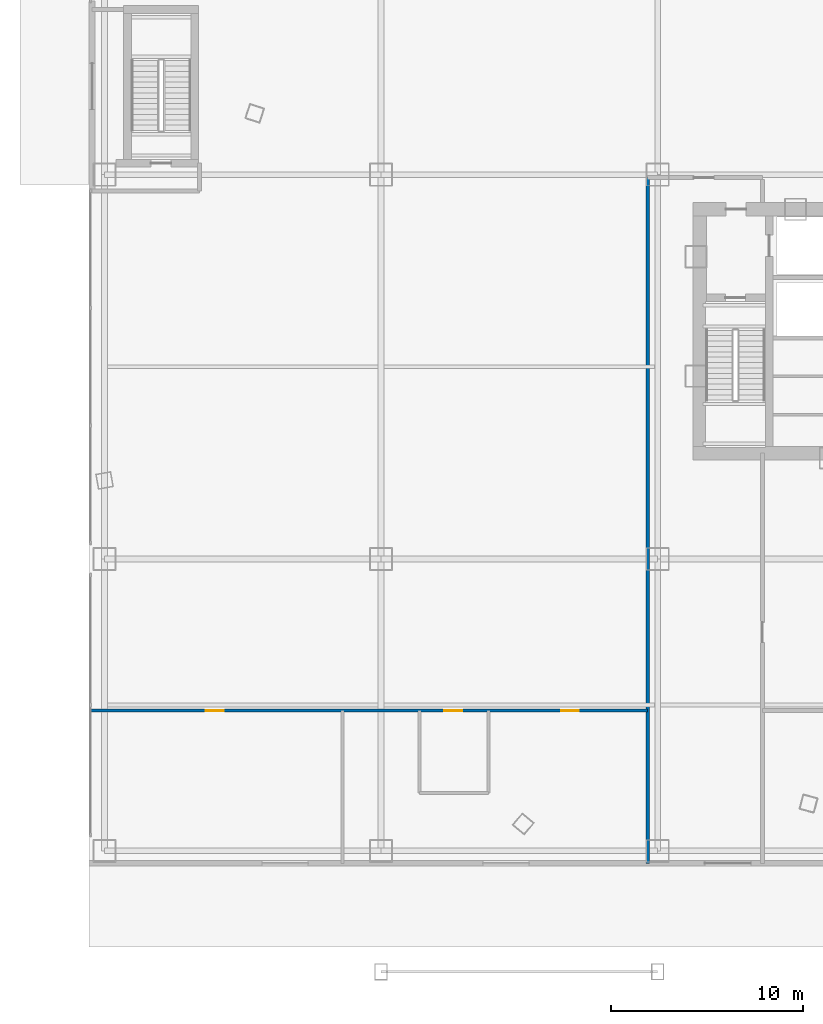
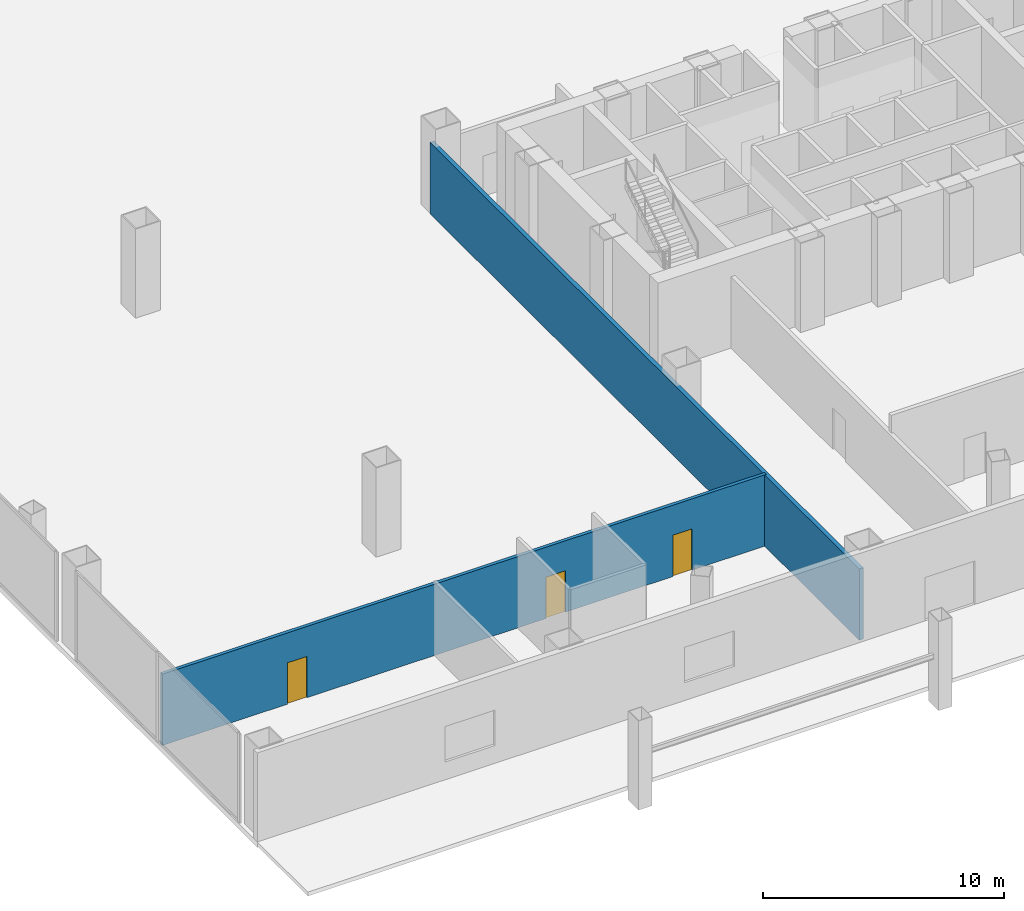
# One storey, part 48 of 58: 3 doors, 2 walls, 3 openings.
"""IFC4 building model written with IfcOpenShell, lengths in metres."""

import ifcopenshell
import ifcopenshell.guid

model = None  # the IFC model being written
_history = None  # IfcOwnerHistory: only IFC2X3 demands one
_inside = {}  # id of a spatial element -> (the spatial element, [elements in it])
_under = {}  # id of a project, library or spatial element -> (it, [spatial elements below it])
_declared = {}  # id of a project -> (the project, [libraries it declares])
_typed = {}  # id of a type object -> (the type object, [elements of that type])
_made_of = {}  # id of a material, layer set ... -> (it, [elements and type objects made of it])


def new_model(schema):
    """Start an empty IFC model of exactly this schema.

    Asked for "IFC4X3", IfcOpenShell would pick the latest addendum, in which some entities
    have other attributes; the version numbers below select the first issue.
    IFC2X3 requires an IfcOwnerHistory on every rooted entity: one is made here for all.
    """
    global model, _history
    if schema == "IFC4X3":
        model = ifcopenshell.file(schema_version=(4, 3, 0, 0))
    else:
        model = ifcopenshell.file(schema=schema)
    _inside.clear()
    _under.clear()
    _declared.clear()
    _typed.clear()
    _made_of.clear()
    _history = None
    if model.schema == "IFC2X3":
        org = make("IfcOrganization", Name="unknown")
        user = make(
            "IfcPersonAndOrganization",
            ThePerson=make("IfcPerson", FamilyName="unknown"),
            TheOrganization=org,
        )
        app = make(
            "IfcApplication",
            ApplicationDeveloper=org,
            Version="unknown",
            ApplicationFullName="unknown",
            ApplicationIdentifier="unknown",
        )
        _history = make(
            "IfcOwnerHistory",
            OwningUser=user,
            OwningApplication=app,
            ChangeAction="ADDED",
            CreationDate=0,
        )
    return model


def make(cls, **values):
    """One entity of the class cls with the attributes given. An attribute that is None is left unset."""
    return model.create_entity(
        cls, **{name: value for name, value in values.items() if value is not None}
    )


def rooted(cls, **values):
    """An entity with a GlobalId (a new one), such as an element, a storey or a relation."""
    return make(cls, GlobalId=ifcopenshell.guid.new(), OwnerHistory=_history, **values)


def si_unit(unit_type, name, prefix=None):
    """IfcSIUnit, for example si_unit("LENGTHUNIT", "METRE", prefix="MILLI")."""
    return make("IfcSIUnit", UnitType=unit_type, Prefix=prefix, Name=name)


def assignment(units):
    """IfcUnitAssignment: the units of a project."""
    return None if units is None else make("IfcUnitAssignment", Units=units)


def point(xyz):
    """IfcCartesianPoint."""
    return None if xyz is None else make("IfcCartesianPoint", Coordinates=xyz)


def direction(xyz):
    """IfcDirection."""
    return None if xyz is None else make("IfcDirection", DirectionRatios=xyz)


def frame(location, z_axis=None, x_axis=None):
    """IfcAxis2Placement3D, a coordinate frame: its origin and axes. An axis left out is left unset."""
    return make(
        "IfcAxis2Placement3D",
        Location=point(location),
        Axis=direction(z_axis),
        RefDirection=direction(x_axis),
    )


def frame_2d(location, x_axis=None):
    """IfcAxis2Placement2D, a coordinate frame in the plane: its origin and x axis."""
    return make(
        "IfcAxis2Placement2D", Location=point(location), RefDirection=direction(x_axis)
    )


def origin():
    """The frame at (0, 0, 0) with its axes left unset."""
    return frame((0.0, 0.0, 0.0))


def place(relative_to, where):
    """IfcLocalPlacement: puts the frame where relative to a parent placement (None: the world)."""
    return make(
        "IfcLocalPlacement", PlacementRelTo=relative_to, RelativePlacement=where
    )


def context(
    kind, dimensions, precision=None, world=None, true_north=None, identifier=None
):
    """IfcGeometricRepresentationContext, for example the 3D "Model" context."""
    return make(
        "IfcGeometricRepresentationContext",
        ContextIdentifier=identifier,
        ContextType=kind,
        CoordinateSpaceDimension=dimensions,
        Precision=precision,
        WorldCoordinateSystem=world,
        TrueNorth=true_north,
    )


def subcontext(parent, identifier, kind, view, scale=None):
    """IfcGeometricRepresentationSubContext, for example "Body" below "Model"."""
    return make(
        "IfcGeometricRepresentationSubContext",
        ContextIdentifier=identifier,
        ContextType=kind,
        ParentContext=parent,
        TargetScale=scale,
        TargetView=view,
    )


def project(units=None, contexts=None):
    """IfcProject with its units and contexts."""
    return rooted(
        "IfcProject",
        Name="project",
        RepresentationContexts=contexts,
        UnitsInContext=assignment(units),
    )


def spatial(cls, under=None, at=None, **own):
    """A site, building, storey or space (cls), placed at a placement, below another one or the project."""
    s = rooted(cls, ObjectPlacement=at, **own)
    if under is not None:
        _under.setdefault(under.id(), (under, []))[1].append(s)
    return s


def profile(cls, at=None, kind="AREA", **sizes):
    """A parametric profile (cls). Its sizes go by their IFC names, for example OverallWidth=200.0."""
    return make(cls, ProfileType=kind, Position=at, **sizes)


def rectangle(**sizes):
    """IfcRectangleProfileDef."""
    return profile("IfcRectangleProfileDef", **sizes)


def extrude(swept, where, along, depth):
    """IfcExtrudedAreaSolid: the profile swept, set in the frame where, extruded along a direction by depth."""
    return make(
        "IfcExtrudedAreaSolid",
        SweptArea=swept,
        Position=where,
        ExtrudedDirection=direction(along),
        Depth=depth,
    )


def shape(context_of_items, identifier, shape_type, items):
    """IfcShapeRepresentation: the items that make up one representation, for example the "Body"."""
    return make(
        "IfcShapeRepresentation",
        ContextOfItems=context_of_items,
        RepresentationIdentifier=identifier,
        RepresentationType=shape_type,
        Items=items,
    )


def source(mapping_origin, context_of_items, identifier, shape_type, items):
    """IfcRepresentationMap: a shape defined once, which mapped items show again and again."""
    return make(
        "IfcRepresentationMap",
        MappingOrigin=mapping_origin,
        MappedRepresentation=shape(context_of_items, identifier, shape_type, items),
    )


def transform(
    local_origin,
    x_axis=None,
    y_axis=None,
    z_axis=None,
    scale=None,
    scale2=None,
    scale3=None,
    uniform=True,
):
    """IfcCartesianTransformationOperator3D, or its non-uniform kind. x_axis, y_axis, z_axis: its Axis1, 2, 3."""
    if uniform:
        return make(
            "IfcCartesianTransformationOperator3D",
            Axis1=direction(x_axis),
            Axis2=direction(y_axis),
            LocalOrigin=point(local_origin),
            Scale=scale,
            Axis3=direction(z_axis),
        )
    return make(
        "IfcCartesianTransformationOperator3DnonUniform",
        Axis1=direction(x_axis),
        Axis2=direction(y_axis),
        LocalOrigin=point(local_origin),
        Scale=scale,
        Axis3=direction(z_axis),
        Scale2=scale2,
        Scale3=scale3,
    )


def mapped(mapping_source, mapping_target):
    """IfcMappedItem: shows the shape of a source again, moved by a transform."""
    return make(
        "IfcMappedItem", MappingSource=mapping_source, MappingTarget=mapping_target
    )


def material(Name=None, Category=None):
    """IfcMaterial."""
    return make("IfcMaterial", Name=Name, Category=Category)


def layer(
    of_material, thickness, ventilated=None, Name=None, Category=None, Priority=None
):
    """IfcMaterialLayer: one layer of a wall or slab, of a material (None: an air gap)."""
    return make(
        "IfcMaterialLayer",
        Material=of_material,
        LayerThickness=thickness,
        IsVentilated=ventilated,
        Name=Name,
        Category=Category,
        Priority=Priority,
    )


def layer_set(layers, Name=None):
    """IfcMaterialLayerSet."""
    return make("IfcMaterialLayerSet", MaterialLayers=layers, LayerSetName=Name)


def made_of(thing, what):
    """Note that an element or type object is made of a material, layer set ...; save() writes the relation."""
    if what is not None:
        _made_of.setdefault(what.id(), (what, []))[1].append(thing)
    return thing


def type_object(cls, material=None, **own):
    """A type object (cls), such as IfcWallType, which elements share."""
    return made_of(rooted(cls, **own), material)


def element(
    cls,
    number,
    at=None,
    inside=None,
    cuts=None,
    type_object=None,
    material=None,
    context=None,
    identifier="Body",
    shape_type=None,
    held_by="IfcProductDefinitionShape",
    body=None,
    shapes=None,
    **own,
):
    """One element of the class cls, such as IfcWall. Its Tag is "e" and its number.

    at: its placement. inside: the storey or other place that contains it. cuts: it is an
    opening in that element (IfcRelVoidsElement). A single representation is given by context,
    identifier, shape_type and body (its items); several are given by shapes. held_by: the class
    of the entity that holds the representations. save() writes the other relations.
    """
    e = rooted(cls, Tag="e%d" % number, ObjectPlacement=at, **own)
    if body is not None:
        shapes = [shape(context, identifier, shape_type, body)]
    if shapes is not None:
        e.Representation = make(held_by, Representations=shapes)
    if inside is not None:
        _inside.setdefault(inside.id(), (inside, []))[1].append(e)
    if cuts is not None:
        rooted(
            "IfcRelVoidsElement", RelatingBuildingElement=cuts, RelatedOpeningElement=e
        )
    if type_object is not None:
        _typed.setdefault(type_object.id(), (type_object, []))[1].append(e)
    return made_of(e, material)


def fill(opening, filler):
    """IfcRelFillsElement: the door or window that sits in an opening."""
    return rooted(
        "IfcRelFillsElement",
        RelatingOpeningElement=opening,
        RelatedBuildingElement=filler,
    )


def aggregate(whole, parts):
    """IfcRelAggregates: a whole, such as a stair, and the parts it consists of."""
    return rooted("IfcRelAggregates", RelatingObject=whole, RelatedObjects=parts)


def save(model, path):
    """Write the relations noted so far, then the file.

    IfcRelAggregates (storeys below a building ...), IfcRelContainedInSpatialStructure (elements
    in a storey), IfcRelDefinesByType, IfcRelAssociatesMaterial and IfcRelDeclares: one each for
    every whole, place, type object, material and project.
    """
    for whole, parts in _under.values():
        aggregate(whole, parts)
    for where, things in _inside.values():
        rooted(
            "IfcRelContainedInSpatialStructure",
            RelatedElements=things,
            RelatingStructure=where,
        )
    for kind, things in _typed.values():
        rooted("IfcRelDefinesByType", RelatedObjects=things, RelatingType=kind)
    for what, things in _made_of.values():
        rooted("IfcRelAssociatesMaterial", RelatedObjects=things, RelatingMaterial=what)
    for by, libraries in _declared.values():
        rooted("IfcRelDeclares", RelatingContext=by, RelatedDefinitions=libraries)
    model.write(path)


model = new_model("IFC4")

# Units and contexts
model_context = context("Model", 3, precision=1e-05, world=origin(), true_north=direction((0.0, 1.0)))
body_context = subcontext(model_context, "Body", "Model", "MODEL_VIEW")
ifc_project = project(units=[si_unit("LENGTHUNIT", "METRE"), si_unit("AREAUNIT", "SQUARE_METRE"), si_unit("VOLUMEUNIT", "CUBIC_METRE"), si_unit("PLANEANGLEUNIT", "RADIAN"), si_unit("MASSUNIT", "GRAM", prefix="KILO"), si_unit("THERMODYNAMICTEMPERATUREUNIT", "KELVIN"), si_unit("POWERUNIT", "WATT")], contexts=[model_context])

# Site, building, storey
site_placement = place(None, origin())
site = spatial("IfcSite", under=ifc_project, at=site_placement, CompositionType="ELEMENT")
building_placement = place(site_placement, origin())
building = spatial("IfcBuilding", under=site, at=building_placement, Name="Yunzhuo Pagoda Commons", CompositionType="ELEMENT")
storey_placement = place(building_placement, origin())
storey = spatial("IfcBuildingStorey", under=building, at=storey_placement, Name="L01", CompositionType="ELEMENT", Elevation=0.0)

# Wall, openings, doors
ifc_material_1 = material(Name="Gypsum plasterboard on acoustic stud")
ifc_layer_1 = layer(ifc_material_1, 0.159912109375)
ifc_layer_set_1 = layer_set([ifc_layer_1], Name="Gypsum plasterboard on acoustic stud")
wall_type_1 = type_object("IfcWallType", Name="W-COR1 Tower Rated Corridor Wall 160", PredefinedType="PARTITIONING", material=ifc_layer_set_1)
wall_1_placement = place(storey_placement, frame((4.080078125, 14.10009765625, 0.0), z_axis=(0.0, 0.0, 1.0), x_axis=(1.0, 0.0, 0.0)))
wall_1 = element("IfcWall", 1, at=wall_1_placement, inside=storey, type_object=wall_type_1, Name="L01 interior wall IW-L01-WCN", PredefinedType="PARTITIONING", context=body_context, shape_type="SweptSolid", body=[
    extrude(rectangle(XDim=29.0, YDim=0.159912109375, at=frame_2d((14.5, 0.0))), origin(), (0.0, 0.0, 1.0), 3.6201171875),
])
opening_1_placement = place(wall_1_placement, frame((6.0, 0.0, 0.0)))
opening_1 = element("IfcOpeningElement", 2, at=opening_1_placement, cuts=wall_1, Name="Opening D-11", PredefinedType="OPENING", context=body_context, shape_type="SweptSolid", body=[
    extrude(rectangle(XDim=0.93994140625, YDim=2.10009765625, at=frame_2d((0.469970703125, 1.050048828125))), frame((0.0, 0.08984375, 0.0), z_axis=(0.0, -1.0, 0.0), x_axis=(1.0, 0.0, 0.0)), (0.0, 0.0, 1.0), 0.179931640625),
])
opening_2_placement = place(wall_1_placement, frame((18.39990234375, 0.0, 0.0)))
opening_2 = element("IfcOpeningElement", 3, at=opening_2_placement, cuts=wall_1, Name="Opening D-11", PredefinedType="OPENING", context=body_context, shape_type="SweptSolid", body=[
    extrude(rectangle(XDim=0.93994140625, YDim=2.10009765625, at=frame_2d((0.469970703125, 1.050048828125))), frame((0.0, 0.08984375, 0.0), z_axis=(0.0, -1.0, 0.0), x_axis=(1.0, 0.0, 0.0)), (0.0, 0.0, 1.0), 0.179931640625),
])
opening_3_placement = place(wall_1_placement, frame((24.5, 0.0, 0.0)))
opening_3 = element("IfcOpeningElement", 4, at=opening_3_placement, cuts=wall_1, Name="Opening D-04", PredefinedType="OPENING", context=body_context, shape_type="SweptSolid", body=[
    extrude(rectangle(XDim=0.919921875, YDim=2.10009765625, at=frame_2d((0.4599609375, 1.050048828125))), frame((0.0, 0.08984375, 0.0), z_axis=(0.0, -1.0, 0.0), x_axis=(1.0, 0.0, 0.0)), (0.0, 0.0, 1.0), 0.179931640625),
])
ifc_material_2 = material(Name="Galvanized fire-resisting metal leaf")
door_type_1 = type_object("IfcDoorType", Name="D-11 Accessible Washroom Fire Door 940x2100", OperationType="NOTDEFINED", PredefinedType="DOOR", material=ifc_material_2)
shared_shape_1 = source(origin(), body_context, "Body", "SweptSolid", [
    extrude(rectangle(XDim=0.93994140625, YDim=2.10009765625, at=frame_2d((0.469970703125, 1.050048828125))), frame((0.0, 0.02490234375, 0.0), z_axis=(0.0, -1.0, 0.0), x_axis=(1.0, 0.0, 0.0)), (0.0, 0.0, 1.0), 0.050048828125),
])
door_1_placement = place(opening_1_placement, frame((0.93994140625, 0.0, 0.0), z_axis=(0.0, 0.0, 1.0), x_axis=(-1.0, 0.0, 0.0)))
door_1 = element("IfcDoor", 5, at=door_1_placement, inside=storey, type_object=door_type_1, Name="Public washroom door", OperationType="SINGLE_SWING_LEFT", OverallHeight=2.10009765625, OverallWidth=0.93994140625, PredefinedType="DOOR", context=body_context, shape_type="MappedRepresentation", body=[
    mapped(shared_shape_1, transform((0.0, 0.0, 0.0), scale=1.0)),
])
fill(opening_1, door_1)
door_2_placement = place(opening_2_placement, frame((0.93994140625, 0.0, 0.0), z_axis=(0.0, 0.0, 1.0), x_axis=(-1.0, 0.0, 0.0)))
door_2 = element("IfcDoor", 6, at=door_2_placement, inside=storey, type_object=door_type_1, Name="Accessible WC door", OperationType="SINGLE_SWING_RIGHT", OverallHeight=2.10009765625, OverallWidth=0.93994140625, PredefinedType="DOOR", context=body_context, shape_type="MappedRepresentation", body=[
    mapped(shared_shape_1, transform((0.0, 0.0, 0.0), scale=1.0)),
])
fill(opening_2, door_2)
ifc_material_3 = material(Name="Powder-coated aluminium and timber acoustic leaf", Category="wood")
door_type_2 = type_object("IfcDoorType", Name="D-04 Bedroom & Study Interior Door 920x2100", OperationType="NOTDEFINED", PredefinedType="DOOR", material=ifc_material_3)
shared_shape_2 = source(origin(), body_context, "Body", "SweptSolid", [
    extrude(rectangle(XDim=0.919921875, YDim=2.10009765625, at=frame_2d((0.4599609375, 1.050048828125))), frame((0.0, 0.02490234375, 0.0), z_axis=(0.0, -1.0, 0.0), x_axis=(1.0, 0.0, 0.0)), (0.0, 0.0, 1.0), 0.050048828125),
])
door_3_placement = place(opening_3_placement, frame((0.919921875, 0.0, 0.0), z_axis=(0.0, 0.0, 1.0), x_axis=(-1.0, 0.0, 0.0)))
door_3 = element("IfcDoor", 7, at=door_3_placement, inside=storey, type_object=door_type_2, Name="Baggage store door", OperationType="SINGLE_SWING_LEFT", OverallHeight=2.10009765625, OverallWidth=0.919921875, PredefinedType="DOOR", context=body_context, shape_type="MappedRepresentation", body=[
    mapped(shared_shape_2, transform((0.0, 0.0, 0.0), scale=1.0)),
])
fill(opening_3, door_3)

# Wall
ifc_material_4 = material(Name="Concrete C40", Category="concrete")
ifc_layer_2 = layer(ifc_material_4, 0.199951171875)
ifc_layer_set_2 = layer_set([ifc_layer_2], Name="Concrete C40")
wall_type_2 = type_object("IfcWallType", Name="W-SHF Shaft & Stair Enclosure Wall 200", PredefinedType="SOLIDWALL", material=ifc_layer_set_2)
wall_2_placement = place(storey_placement, frame((33.080078125, 6.14990234375, 0.0), z_axis=(0.0, 0.0, 1.0), x_axis=(0.0, 1.0, 0.0)))
element("IfcWall", 8, at=wall_2_placement, inside=storey, type_object=wall_type_2, Name="L01 interior wall IW-L01-EXWW", PredefinedType="SOLIDWALL", context=body_context, shape_type="SweptSolid", body=[
    extrude(rectangle(XDim=35.7001953125, YDim=0.199951171875, at=frame_2d((17.85009765625, 0.0))), origin(), (0.0, 0.0, 1.0), 3.6201171875),
])

save(model, "model.ifc")
